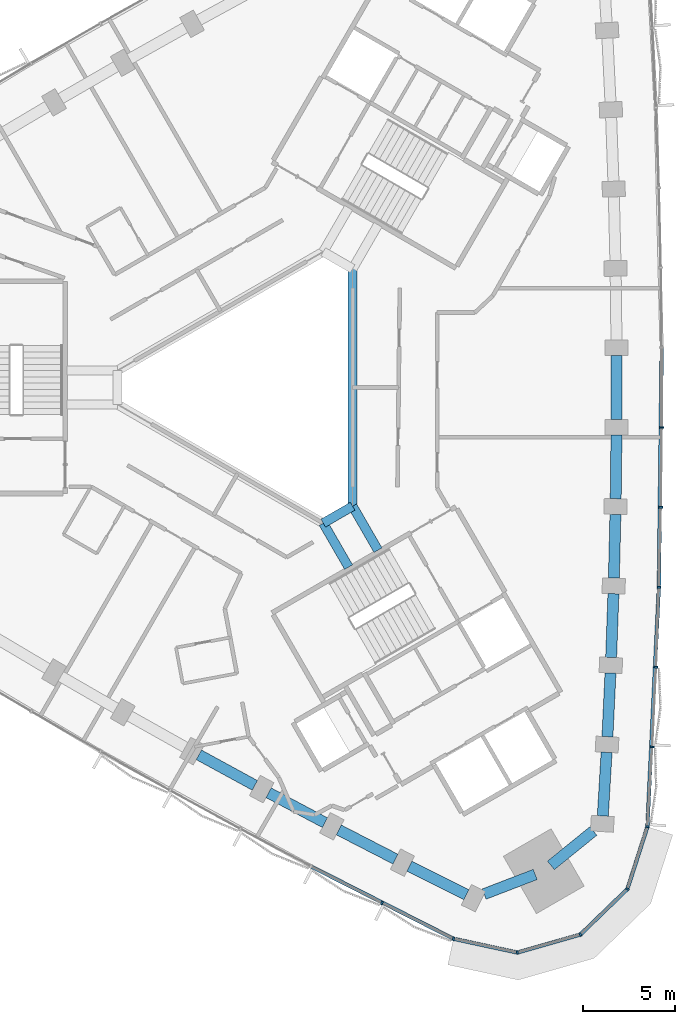
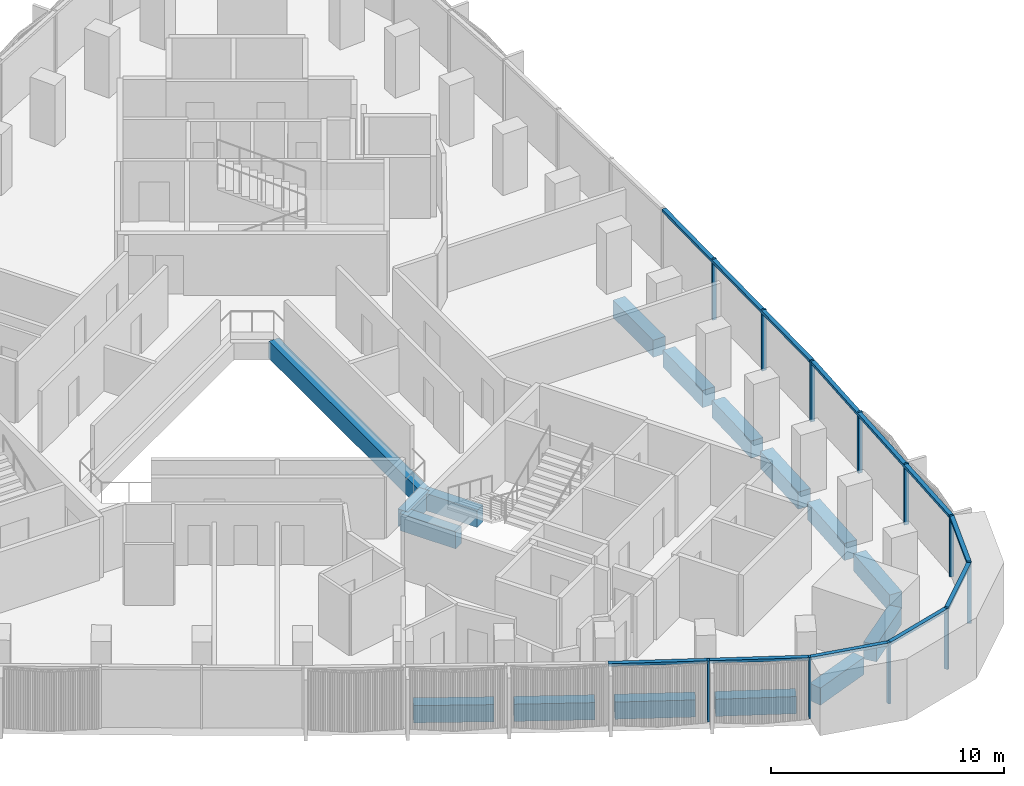
# One storey, part 3 of 14: 18 members, 16 beams, 2 elements without a shape of their own.
"""IFC4 building model written with IfcOpenShell, lengths in metres."""

import ifcopenshell
import ifcopenshell.guid

model = None  # the IFC model being written
_history = None  # IfcOwnerHistory: only IFC2X3 demands one
_inside = {}  # id of a spatial element -> (the spatial element, [elements in it])
_under = {}  # id of a project, library or spatial element -> (it, [spatial elements below it])
_declared = {}  # id of a project -> (the project, [libraries it declares])
_typed = {}  # id of a type object -> (the type object, [elements of that type])
_made_of = {}  # id of a material, layer set ... -> (it, [elements and type objects made of it])


def new_model(schema):
    """Start an empty IFC model of exactly this schema.

    Asked for "IFC4X3", IfcOpenShell would pick the latest addendum, in which some entities
    have other attributes; the version numbers below select the first issue.
    IFC2X3 requires an IfcOwnerHistory on every rooted entity: one is made here for all.
    """
    global model, _history
    if schema == "IFC4X3":
        model = ifcopenshell.file(schema_version=(4, 3, 0, 0))
    else:
        model = ifcopenshell.file(schema=schema)
    _inside.clear()
    _under.clear()
    _declared.clear()
    _typed.clear()
    _made_of.clear()
    _history = None
    if model.schema == "IFC2X3":
        org = make("IfcOrganization", Name="unknown")
        user = make(
            "IfcPersonAndOrganization",
            ThePerson=make("IfcPerson", FamilyName="unknown"),
            TheOrganization=org,
        )
        app = make(
            "IfcApplication",
            ApplicationDeveloper=org,
            Version="unknown",
            ApplicationFullName="unknown",
            ApplicationIdentifier="unknown",
        )
        _history = make(
            "IfcOwnerHistory",
            OwningUser=user,
            OwningApplication=app,
            ChangeAction="ADDED",
            CreationDate=0,
        )
    return model


def make(cls, **values):
    """One entity of the class cls with the attributes given. An attribute that is None is left unset."""
    return model.create_entity(
        cls, **{name: value for name, value in values.items() if value is not None}
    )


def rooted(cls, **values):
    """An entity with a GlobalId (a new one), such as an element, a storey or a relation."""
    return make(cls, GlobalId=ifcopenshell.guid.new(), OwnerHistory=_history, **values)


def si_unit(unit_type, name, prefix=None):
    """IfcSIUnit, for example si_unit("LENGTHUNIT", "METRE", prefix="MILLI")."""
    return make("IfcSIUnit", UnitType=unit_type, Prefix=prefix, Name=name)


def assignment(units):
    """IfcUnitAssignment: the units of a project."""
    return None if units is None else make("IfcUnitAssignment", Units=units)


def point(xyz):
    """IfcCartesianPoint."""
    return None if xyz is None else make("IfcCartesianPoint", Coordinates=xyz)


def direction(xyz):
    """IfcDirection."""
    return None if xyz is None else make("IfcDirection", DirectionRatios=xyz)


def frame(location, z_axis=None, x_axis=None):
    """IfcAxis2Placement3D, a coordinate frame: its origin and axes. An axis left out is left unset."""
    return make(
        "IfcAxis2Placement3D",
        Location=point(location),
        Axis=direction(z_axis),
        RefDirection=direction(x_axis),
    )


def frame_2d(location, x_axis=None):
    """IfcAxis2Placement2D, a coordinate frame in the plane: its origin and x axis."""
    return make(
        "IfcAxis2Placement2D", Location=point(location), RefDirection=direction(x_axis)
    )


def origin():
    """The frame at (0, 0, 0) with its axes left unset."""
    return frame((0.0, 0.0, 0.0))


def origin_2d():
    """The frame at (0, 0) in the plane with its x axis left unset."""
    return frame_2d((0.0, 0.0))


def place(relative_to, where):
    """IfcLocalPlacement: puts the frame where relative to a parent placement (None: the world)."""
    return make(
        "IfcLocalPlacement", PlacementRelTo=relative_to, RelativePlacement=where
    )


def context(
    kind, dimensions, precision=None, world=None, true_north=None, identifier=None
):
    """IfcGeometricRepresentationContext, for example the 3D "Model" context."""
    return make(
        "IfcGeometricRepresentationContext",
        ContextIdentifier=identifier,
        ContextType=kind,
        CoordinateSpaceDimension=dimensions,
        Precision=precision,
        WorldCoordinateSystem=world,
        TrueNorth=true_north,
    )


def subcontext(parent, identifier, kind, view, scale=None):
    """IfcGeometricRepresentationSubContext, for example "Body" below "Model"."""
    return make(
        "IfcGeometricRepresentationSubContext",
        ContextIdentifier=identifier,
        ContextType=kind,
        ParentContext=parent,
        TargetScale=scale,
        TargetView=view,
    )


def project(units=None, contexts=None):
    """IfcProject with its units and contexts."""
    return rooted(
        "IfcProject",
        Name="project",
        RepresentationContexts=contexts,
        UnitsInContext=assignment(units),
    )


def spatial(cls, under=None, at=None, **own):
    """A site, building, storey or space (cls), placed at a placement, below another one or the project."""
    s = rooted(cls, ObjectPlacement=at, **own)
    if under is not None:
        _under.setdefault(under.id(), (under, []))[1].append(s)
    return s


def profile(cls, at=None, kind="AREA", **sizes):
    """A parametric profile (cls). Its sizes go by their IFC names, for example OverallWidth=200.0."""
    return make(cls, ProfileType=kind, Position=at, **sizes)


def rectangle(**sizes):
    """IfcRectangleProfileDef."""
    return profile("IfcRectangleProfileDef", **sizes)


def extrude(swept, where, along, depth):
    """IfcExtrudedAreaSolid: the profile swept, set in the frame where, extruded along a direction by depth."""
    return make(
        "IfcExtrudedAreaSolid",
        SweptArea=swept,
        Position=where,
        ExtrudedDirection=direction(along),
        Depth=depth,
    )


def shape(context_of_items, identifier, shape_type, items):
    """IfcShapeRepresentation: the items that make up one representation, for example the "Body"."""
    return make(
        "IfcShapeRepresentation",
        ContextOfItems=context_of_items,
        RepresentationIdentifier=identifier,
        RepresentationType=shape_type,
        Items=items,
    )


def material(Name=None, Category=None):
    """IfcMaterial."""
    return make("IfcMaterial", Name=Name, Category=Category)


def material_profile(
    of_material, cross_section, Name=None, Category=None, Priority=None
):
    """IfcMaterialProfile: a cross section and its material."""
    return make(
        "IfcMaterialProfile",
        Name=Name,
        Material=of_material,
        Profile=cross_section,
        Priority=Priority,
        Category=Category,
    )


def profile_set(profiles, Name=None, composite=None):
    """IfcMaterialProfileSet."""
    return make(
        "IfcMaterialProfileSet",
        Name=Name,
        MaterialProfiles=profiles,
        CompositeProfile=composite,
    )


def made_of(thing, what):
    """Note that an element or type object is made of a material, layer set ...; save() writes the relation."""
    if what is not None:
        _made_of.setdefault(what.id(), (what, []))[1].append(thing)
    return thing


def type_object(cls, material=None, **own):
    """A type object (cls), such as IfcWallType, which elements share."""
    return made_of(rooted(cls, **own), material)


def element(
    cls,
    number,
    at=None,
    inside=None,
    cuts=None,
    type_object=None,
    material=None,
    context=None,
    identifier="Body",
    shape_type=None,
    held_by="IfcProductDefinitionShape",
    body=None,
    shapes=None,
    **own,
):
    """One element of the class cls, such as IfcWall. Its Tag is "e" and its number.

    at: its placement. inside: the storey or other place that contains it. cuts: it is an
    opening in that element (IfcRelVoidsElement). A single representation is given by context,
    identifier, shape_type and body (its items); several are given by shapes. held_by: the class
    of the entity that holds the representations. save() writes the other relations.
    """
    e = rooted(cls, Tag="e%d" % number, ObjectPlacement=at, **own)
    if body is not None:
        shapes = [shape(context, identifier, shape_type, body)]
    if shapes is not None:
        e.Representation = make(held_by, Representations=shapes)
    if inside is not None:
        _inside.setdefault(inside.id(), (inside, []))[1].append(e)
    if cuts is not None:
        rooted(
            "IfcRelVoidsElement", RelatingBuildingElement=cuts, RelatedOpeningElement=e
        )
    if type_object is not None:
        _typed.setdefault(type_object.id(), (type_object, []))[1].append(e)
    return made_of(e, material)


def aggregate(whole, parts):
    """IfcRelAggregates: a whole, such as a stair, and the parts it consists of."""
    return rooted("IfcRelAggregates", RelatingObject=whole, RelatedObjects=parts)


def save(model, path):
    """Write the relations noted so far, then the file.

    IfcRelAggregates (storeys below a building ...), IfcRelContainedInSpatialStructure (elements
    in a storey), IfcRelDefinesByType, IfcRelAssociatesMaterial and IfcRelDeclares: one each for
    every whole, place, type object, material and project.
    """
    for whole, parts in _under.values():
        aggregate(whole, parts)
    for where, things in _inside.values():
        rooted(
            "IfcRelContainedInSpatialStructure",
            RelatedElements=things,
            RelatingStructure=where,
        )
    for kind, things in _typed.values():
        rooted("IfcRelDefinesByType", RelatedObjects=things, RelatingType=kind)
    for what, things in _made_of.values():
        rooted("IfcRelAssociatesMaterial", RelatedObjects=things, RelatingMaterial=what)
    for by, libraries in _declared.values():
        rooted("IfcRelDeclares", RelatingContext=by, RelatedDefinitions=libraries)
    model.write(path)


model = new_model("IFC4")

# Units and contexts
model_context = context("Model", 3, precision=1e-05, world=origin(), true_north=direction((0.0, 1.0)))
body_context = subcontext(model_context, "Body", "Model", "MODEL_VIEW")
ifc_project = project(units=[si_unit("LENGTHUNIT", "METRE"), si_unit("AREAUNIT", "SQUARE_METRE"), si_unit("VOLUMEUNIT", "CUBIC_METRE"), si_unit("PLANEANGLEUNIT", "RADIAN"), si_unit("MASSUNIT", "GRAM", prefix="KILO")], contexts=[model_context])

# Site, building, storey
site_placement = place(None, origin())
site = spatial("IfcSite", under=ifc_project, at=site_placement, CompositionType="ELEMENT")
building_placement = place(site_placement, origin())
building = spatial("IfcBuilding", under=site, at=building_placement, Name="Tamra Quay Hotel Tower", CompositionType="ELEMENT")
storey_placement = place(building_placement, frame((0.0, 0.0, 146.800048828125)))
storey = spatial("IfcBuildingStorey", under=building, at=storey_placement, Name="L36", CompositionType="ELEMENT", Elevation=146.800048828125)

# Beams
ifc_material_1 = material(Name="Concrete M60", Category="concrete")
ifc_material_profile_1 = material_profile(ifc_material_1, rectangle(XDim=0.5, YDim=0.89990234375, at=origin_2d()), Name="ATRIUM EDGE BEAM RC 500x900")
ifc_profile_set_1 = profile_set([ifc_material_profile_1], Name="Concrete M60")
beam_type_1 = type_object("IfcBeamType", Name="ATRIUM EDGE BEAM RC 500x900", PredefinedType="BEAM", material=ifc_profile_set_1)
beam_1_placement = place(storey_placement, frame((4.800048828125, 6.46630859375, -0.85009765625), z_axis=(0.0, -1.0, 0.0), x_axis=(1.0, 0.0, 0.0)))
element("IfcBeam", 1, at=beam_1_placement, inside=storey, type_object=beam_type_1, Name="BM-AB0-L36", PredefinedType="BEAM", context=body_context, shape_type="SweptSolid", body=[
    extrude(rectangle(XDim=0.5, YDim=0.89990234375, at=origin_2d()), origin(), (0.0, 0.0, 1.0), 12.9326171875),
])
beam_2_placement = place(storey_placement, frame((4.800048828125, -6.46630859375, -0.85009765625), z_axis=(-0.86602275259, -0.500004591975, 0.0), x_axis=(0.500004591975, -0.86602275259, 0.0)))
element("IfcBeam", 2, at=beam_2_placement, inside=storey, type_object=beam_type_1, Name="BM-AB1-L36", PredefinedType="BEAM", context=body_context, shape_type="SweptSolid", body=[
    extrude(rectangle(XDim=0.5, YDim=0.89990234375, at=origin_2d()), origin(), (0.0, 0.0, 1.0), 1.84765625),
])
ifc_material_profile_2 = material_profile(ifc_material_1, rectangle(XDim=0.5, YDim=0.89990234375, at=origin_2d()), Name="ATRIUM TIE BEAM RC 500x900")
ifc_profile_set_2 = profile_set([ifc_material_profile_2], Name="Concrete M60")
beam_type_2 = type_object("IfcBeamType", Name="ATRIUM TIE BEAM RC 500x900", PredefinedType="BEAM", material=ifc_profile_set_2)
for number, where, z_axis, x_axis, name in (
    (3, (4.800048828125, -6.46630859375, -0.85009765625), (0.500008091576, -0.86602073206, 0.0), (0.86602073206, 0.500008091576, 0.0), "BM-TIE-1-L36"),
    (4, (3.199951171875, -7.39013671875, -0.85009765625), (0.500008091576, -0.86602073206, 0.0), (0.86602073206, 0.500008091576, 0.0), "BM-TIE-2-L36"),
):
    element("IfcBeam", number, at=place(storey_placement, frame(where, z_axis=z_axis, x_axis=x_axis)), inside=storey, type_object=beam_type_2, Name=name, PredefinedType="BEAM", context=body_context, shape_type="SweptSolid", body=[
        extrude(rectangle(XDim=0.5, YDim=0.89990234375, at=origin_2d()), origin(), (0.0, 0.0, 1.0), 2.76220703125),
    ])

# Curtain wall, members
ifc_material_2 = material(Name="Aluminium 6063 anodised dark grey", Category="aluminium")
curtain_wall_type_1 = type_object("IfcCurtainWallType", Name="CW1 CURTAIN WALL", PredefinedType="NOTDEFINED", material=ifc_material_2)
curtain_wall_1_placement = place(storey_placement, origin())
curtain_wall_1 = element("IfcCurtainWall", 5, at=curtain_wall_1_placement, inside=storey, type_object=curtain_wall_type_1, Name="CW1 east face L36", PredefinedType="NOTDEFINED")
ifc_material_profile_3 = material_profile(ifc_material_2, rectangle(XDim=0.199951171875, YDim=0.10009765625, at=origin_2d()), Name="MULLION 100X200")
ifc_profile_set_3 = profile_set([ifc_material_profile_3], Name="Aluminium 6063 anodised dark grey")
member_type_1 = type_object("IfcMemberType", Name="MULLION CW1 Z3", PredefinedType="MULLION", material=ifc_profile_set_3)
member_1_placement = place(storey_placement, frame((20.852294921875, -23.918212890625, 0.0), z_axis=(0.0, 0.0, 1.0), x_axis=(0.982883217826, -0.184229693905, 0.0)))
member_1 = element("IfcMember", 6, at=member_1_placement, type_object=member_type_1, Name="CW1 mullion L36.E.1", PredefinedType="MULLION", context=body_context, shape_type="SweptSolid", body=[
    extrude(rectangle(XDim=0.199951171875, YDim=0.10009765625, at=origin_2d()), origin(), (0.0, 0.0, 1.0), 3.199951171875),
])
member_2_placement = place(storey_placement, frame((21.11181640625, -19.57421875, 0.0), z_axis=(0.0, 0.0, 1.0), x_axis=(0.99855735675, -0.053695486602, 0.0)))
member_2 = element("IfcMember", 7, at=member_2_placement, type_object=member_type_1, Name="CW1 mullion L36.E.2", PredefinedType="MULLION", context=body_context, shape_type="SweptSolid", body=[
    extrude(rectangle(XDim=0.199951171875, YDim=0.10009765625, at=origin_2d()), origin(), (0.0, 0.0, 1.0), 3.199951171875),
])
member_3_placement = place(storey_placement, frame((21.319580078125, -15.228271484375, 0.0), z_axis=(0.0, 0.0, 1.0), x_axis=(0.99912611643, -0.041797170557, 0.0)))
member_3 = element("IfcMember", 8, at=member_3_placement, type_object=member_type_1, Name="CW1 mullion L36.E.3", PredefinedType="MULLION", context=body_context, shape_type="SweptSolid", body=[
    extrude(rectangle(XDim=0.199951171875, YDim=0.10009765625, at=origin_2d()), origin(), (0.0, 0.0, 1.0), 3.199951171875),
])
member_4_placement = place(storey_placement, frame((21.4755859375, -10.87841796875, 0.0), z_axis=(0.0, 0.0, 1.0), x_axis=(0.999553757047, -0.029871169599, 0.0)))
member_4 = element("IfcMember", 9, at=member_4_placement, type_object=member_type_1, Name="CW1 mullion L36.E.4", PredefinedType="MULLION", context=body_context, shape_type="SweptSolid", body=[
    extrude(rectangle(XDim=0.199951171875, YDim=0.10009765625, at=origin_2d()), origin(), (0.0, 0.0, 1.0), 3.199951171875),
])
member_5_placement = place(storey_placement, frame((21.57958984375, -6.527099609375, 0.0), z_axis=(0.0, 0.0, 1.0), x_axis=(0.999839304234, -0.017926675875, 0.0)))
member_5 = element("IfcMember", 10, at=member_5_placement, type_object=member_type_1, Name="CW1 mullion L36.E.5", PredefinedType="MULLION", context=body_context, shape_type="SweptSolid", body=[
    extrude(rectangle(XDim=0.199951171875, YDim=0.10009765625, at=origin_2d()), origin(), (0.0, 0.0, 1.0), 3.199951171875),
])
member_6_placement = place(storey_placement, frame((21.631591796875, -2.17626953125, 0.0), z_axis=(0.0, 0.0, 1.0), x_axis=(0.999982128389, -0.005978536749, 0.0)))
member_6 = element("IfcMember", 11, at=member_6_placement, type_object=member_type_1, Name="CW1 mullion L36.E.6", PredefinedType="MULLION", context=body_context, shape_type="SweptSolid", body=[
    extrude(rectangle(XDim=0.199951171875, YDim=0.10009765625, at=origin_2d()), origin(), (0.0, 0.0, 1.0), 3.199951171875),
])

curtain_wall_type_2 = type_object("IfcCurtainWallType", Name="CW3 CURTAIN WALL", PredefinedType="NOTDEFINED", material=ifc_material_2)
curtain_wall_2_placement = place(storey_placement, origin())
curtain_wall_2 = element("IfcCurtainWall", 12, at=curtain_wall_2_placement, inside=storey, type_object=curtain_wall_type_2, Name="CW3 south-west face L36", PredefinedType="NOTDEFINED")
ifc_material_profile_4 = material_profile(ifc_material_2, rectangle(XDim=0.199951171875, YDim=0.10009765625, at=origin_2d()), Name="MULLION 100X200")
ifc_profile_set_4 = profile_set([ifc_material_profile_4], Name="Aluminium 6063 anodised dark grey")
member_type_2 = type_object("IfcMemberType", Name="MULLION CW3 Z3", PredefinedType="MULLION", material=ifc_profile_set_4)
member_7_placement = place(storey_placement, frame((6.39599609375, -28.0703125, 0.0), z_axis=(0.0, 0.0, 1.0), x_axis=(-0.452777022909, -0.891623781382, 0.0)))
member_7 = element("IfcMember", 13, at=member_7_placement, type_object=member_type_2, Name="CW3 mullion L36.SW.11", PredefinedType="MULLION", context=body_context, shape_type="SweptSolid", body=[
    extrude(rectangle(XDim=0.199951171875, YDim=0.10009765625, at=origin_2d()), origin(), (0.0, 0.0, 1.0), 3.199951171875),
])
member_8_placement = place(storey_placement, frame((10.28759765625, -30.017578125, 0.0), z_axis=(0.0, 0.0, 1.0), x_axis=(-0.33189401386, -0.943316682543, 0.0)))
member_8 = element("IfcMember", 14, at=member_8_placement, type_object=member_type_2, Name="CW3 mullion L36.SW.12", PredefinedType="MULLION", context=body_context, shape_type="SweptSolid", body=[
    extrude(rectangle(XDim=0.199951171875, YDim=0.10009765625, at=origin_2d()), origin(), (0.0, 0.0, 1.0), 3.199951171875),
])
member_9_placement = place(storey_placement, frame((13.772216796875, -30.770263671875, 0.0), z_axis=(0.0, 0.0, 1.0), x_axis=(0.032727311619, -0.99946431806, 0.0)))
member_9 = element("IfcMember", 15, at=member_9_placement, type_object=member_type_2, Name="CW3 mullion L36.SW.13", PredefinedType="MULLION", context=body_context, shape_type="SweptSolid", body=[
    extrude(rectangle(XDim=0.199951171875, YDim=0.10009765625, at=origin_2d()), origin(), (0.0, 0.0, 1.0), 3.199951171875),
])
member_10_placement = place(storey_placement, frame((17.199951171875, -29.791259765625, 0.0), z_axis=(0.0, 0.0, 1.0), x_axis=(0.5, -0.866025403784, 0.0)))
member_10 = element("IfcMember", 16, at=member_10_placement, type_object=member_type_2, Name="CW3 mullion L36.SW.14", PredefinedType="MULLION", context=body_context, shape_type="SweptSolid", body=[
    extrude(rectangle(XDim=0.199951171875, YDim=0.10009765625, at=origin_2d()), origin(), (0.0, 0.0, 1.0), 3.199951171875),
])
member_11_placement = place(storey_placement, frame((19.76171875, -27.312255859375, 0.0), z_axis=(0.0, 0.0, 1.0), x_axis=(0.849197833806, -0.52807484229, 0.0)))
member_11 = element("IfcMember", 17, at=member_11_placement, type_object=member_type_2, Name="CW3 mullion L36.SW.15", PredefinedType="MULLION", context=body_context, shape_type="SweptSolid", body=[
    extrude(rectangle(XDim=0.199951171875, YDim=0.10009765625, at=origin_2d()), origin(), (0.0, 0.0, 1.0), 3.199951171875),
])

# Beams
ifc_material_profile_5 = material_profile(ifc_material_1, rectangle(XDim=0.60009765625, YDim=0.89990234375, at=origin_2d()), Name="SPANDREL BEAM RC 600x900")
ifc_profile_set_5 = profile_set([ifc_material_profile_5], Name="Concrete M60")
beam_type_3 = type_object("IfcBeamType", Name="SPANDREL BEAM RC 600x900", PredefinedType="SPANDREL", material=ifc_profile_set_5)
beam_3_placement = place(storey_placement, frame((18.422119140625, -23.3330078125, -0.85009765625), z_axis=(0.059620475238, 0.998221117254, 0.0), x_axis=(-0.998221117254, 0.059620475238, 0.0)))
element("IfcBeam", 18, at=beam_3_placement, inside=storey, type_object=beam_type_3, Name="BM-SP3-000-L36", PredefinedType="SPANDREL", context=body_context, shape_type="SweptSolid", body=[
    extrude(rectangle(XDim=0.60009765625, YDim=0.89990234375, at=origin_2d()), origin(), (0.0, 0.0, 1.0), 3.472412109375),
])
beam_4_placement = place(storey_placement, frame((18.6748046875, -19.017822265625, -0.85009765625), z_axis=(0.047732145575, 0.998860171535, 0.0), x_axis=(-0.998860171535, 0.047732145575, 0.0)))
element("IfcBeam", 19, at=beam_4_placement, inside=storey, type_object=beam_type_3, Name="BM-SP3-001-L36", PredefinedType="SPANDREL", context=body_context, shape_type="SweptSolid", body=[
    extrude(rectangle(XDim=0.60009765625, YDim=0.89990234375, at=origin_2d()), origin(), (0.0, 0.0, 1.0), 3.472900390625),
])
beam_5_placement = place(storey_placement, frame((18.876220703125, -14.69970703125, -0.85009765625), z_axis=(0.035786826945, 0.999359446354, 0.0), x_axis=(-0.999359446354, 0.035786826945, 0.0)))
element("IfcBeam", 20, at=beam_5_placement, inside=storey, type_object=beam_type_3, Name="BM-SP3-002-L36", PredefinedType="SPANDREL", context=body_context, shape_type="SweptSolid", body=[
    extrude(rectangle(XDim=0.60009765625, YDim=0.89990234375, at=origin_2d()), origin(), (0.0, 0.0, 1.0), 3.472412109375),
])
beam_6_placement = place(storey_placement, frame((19.02587890625, -10.3798828125, -0.85009765625), z_axis=(0.023906514803, 0.999714198434, 0.0), x_axis=(-0.999714198434, 0.023906514803, 0.0)))
element("IfcBeam", 21, at=beam_6_placement, inside=storey, type_object=beam_type_3, Name="BM-SP3-003-L36", PredefinedType="SPANDREL", context=body_context, shape_type="SweptSolid", body=[
    extrude(rectangle(XDim=0.60009765625, YDim=0.89990234375, at=origin_2d()), origin(), (0.0, 0.0, 1.0), 3.47216796875),
])
beam_7_placement = place(storey_placement, frame((19.124267578125, -6.05859375, -0.85009765625), z_axis=(0.011951617666, 0.999928576867, 0.0), x_axis=(-0.999928576867, 0.011951617666, 0.0)))
element("IfcBeam", 22, at=beam_7_placement, inside=storey, type_object=beam_type_3, Name="BM-SP3-004-L36", PredefinedType="SPANDREL", context=body_context, shape_type="SweptSolid", body=[
    extrude(rectangle(XDim=0.60009765625, YDim=0.89990234375, at=origin_2d()), origin(), (0.0, 0.0, 1.0), 3.47265625),
])
beam_8_placement = place(storey_placement, frame((19.1708984375, -1.736083984375, -0.85009765625), z_axis=(0.0, 1.0, 0.0), x_axis=(-1.0, 0.0, 0.0)))
element("IfcBeam", 23, at=beam_8_placement, inside=storey, type_object=beam_type_3, Name="BM-SP3-005-L36", PredefinedType="SPANDREL", context=body_context, shape_type="SweptSolid", body=[
    extrude(rectangle(XDim=0.60009765625, YDim=0.89990234375, at=origin_2d()), origin(), (0.0, 0.0, 1.0), 3.47216796875),
])
for number, where, z_axis, x_axis, name in (
    (24, (-3.571533203125, -20.003173828125, -0.85009765625), (0.877731617539, -0.479152593202, 0.0), (0.479152593202, 0.877731617539, 0.0), "BM-SP3-033-L36"),
    (25, (0.224609375, -22.06982421875, -0.85009765625), (0.883411391477, -0.468598243071, 0.0), (0.468598243071, 0.883411391477, 0.0), "BM-SP3-034-L36"),
):
    element("IfcBeam", number, at=place(storey_placement, frame(where, z_axis=z_axis, x_axis=x_axis)), inside=storey, type_object=beam_type_3, Name=name, PredefinedType="SPANDREL", context=body_context, shape_type="SweptSolid", body=[
        extrude(rectangle(XDim=0.60009765625, YDim=0.89990234375, at=origin_2d()), origin(), (0.0, 0.0, 1.0), 3.472412109375),
    ])
beam_9_placement = place(storey_placement, frame((4.04541015625, -24.0908203125, -0.85009765625), z_axis=(0.888919913451, -0.458062645792, 0.0), x_axis=(0.458062645792, 0.888919913451, 0.0)))
element("IfcBeam", 26, at=beam_9_placement, inside=storey, type_object=beam_type_3, Name="BM-SP3-035-L36", PredefinedType="SPANDREL", context=body_context, shape_type="SweptSolid", body=[
    extrude(rectangle(XDim=0.60009765625, YDim=0.89990234375, at=origin_2d()), origin(), (0.0, 0.0, 1.0), 3.472900390625),
])
beam_10_placement = place(storey_placement, frame((7.890380859375, -26.066650390625, -0.85009765625), z_axis=(0.894314670292, -0.447438566174, 0.0), x_axis=(0.447438566174, 0.894314670292, 0.0)))
element("IfcBeam", 27, at=beam_10_placement, inside=storey, type_object=beam_type_3, Name="BM-SP3-036-L36", PredefinedType="SPANDREL", context=body_context, shape_type="SweptSolid", body=[
    extrude(rectangle(XDim=0.60009765625, YDim=0.89990234375, at=origin_2d()), origin(), (0.0, 0.0, 1.0), 3.472412109375),
])
beam_11_placement = place(storey_placement, frame((11.960693359375, -27.586181640625, -0.85009765625), z_axis=(0.933527198951, 0.358506581278, 0.0), x_axis=(-0.358506581278, 0.933527198951, 0.0)))
element("IfcBeam", 28, at=beam_11_placement, inside=storey, type_object=beam_type_3, Name="BM-SP3-037-L36", PredefinedType="SPANDREL", context=body_context, shape_type="SweptSolid", body=[
    extrude(rectangle(XDim=0.60009765625, YDim=0.89990234375, at=origin_2d()), origin(), (0.0, 0.0, 1.0), 2.97802734375),
])
beam_12_placement = place(storey_placement, frame((15.595703125, -26.02490234375, -0.85009765625), z_axis=(0.777183767602, 0.629273701482, 0.0), x_axis=(-0.629273701482, 0.777183767602, 0.0)))
element("IfcBeam", 29, at=beam_12_placement, inside=storey, type_object=beam_type_3, Name="BM-SP3-038-L36", PredefinedType="SPANDREL", context=body_context, shape_type="SweptSolid", body=[
    extrude(rectangle(XDim=0.60009765625, YDim=0.89990234375, at=origin_2d()), origin(), (0.0, 0.0, 1.0), 2.977783203125),
])

# Member
ifc_material_profile_6 = material_profile(ifc_material_2, rectangle(XDim=0.199951171875, YDim=0.139892578125, at=origin_2d()), Name="TRANSOM 200X140")
ifc_profile_set_6 = profile_set([ifc_material_profile_6], Name="Aluminium 6063 anodised dark grey")
member_type_3 = type_object("IfcMemberType", Name="TRANSOM CW1 Z3", PredefinedType="USERDEFINED", material=ifc_profile_set_6)
member_12_placement = place(storey_placement, frame((20.855224609375, -23.868408203125, 3.1298828125), z_axis=(0.047736167082, 0.998859979353, 0.0), x_axis=(-0.998859979353, 0.047736167082, 0.0)))
member_12 = element("IfcMember", 30, at=member_12_placement, type_object=member_type_3, Name="CW1 transom L36.E.1", ObjectType="TRANSOM", PredefinedType="USERDEFINED", context=body_context, shape_type="SweptSolid", body=[
    extrude(rectangle(XDim=0.199951171875, YDim=0.139892578125, at=origin_2d()), origin(), (0.0, 0.0, 1.0), 12.95458984375),
])

member_13_placement = place(storey_placement, frame((21.476806640625, -10.828369140625, 3.1298828125), z_axis=(0.011947434123, 0.999928626862, 0.0), x_axis=(-0.999928626862, 0.011947434123, 0.0)))
member_13 = element("IfcMember", 31, at=member_13_placement, type_object=member_type_3, Name="CW1 transom L36.E.4", ObjectType="TRANSOM", PredefinedType="USERDEFINED", context=body_context, shape_type="SweptSolid", body=[
    extrude(rectangle(XDim=0.199951171875, YDim=0.139892578125, at=origin_2d()), origin(), (0.0, 0.0, 1.0), 12.95556640625),
])

aggregate(curtain_wall_1, [member_1, member_12, member_2, member_3, member_4, member_13, member_5, member_6])

ifc_material_profile_7 = material_profile(ifc_material_2, rectangle(XDim=0.199951171875, YDim=0.139892578125, at=origin_2d()), Name="TRANSOM 200X140")
ifc_profile_set_7 = profile_set([ifc_material_profile_7], Name="Aluminium 6063 anodised dark grey")
member_type_4 = type_object("IfcMemberType", Name="TRANSOM CW3 Z3", PredefinedType="USERDEFINED", material=ifc_profile_set_7)
member_14_placement = place(storey_placement, frame((2.57275390625, -26.10009765625, 3.1298828125), z_axis=(0.891611423386, -0.452801357868, 0.0), x_axis=(0.452801357868, 0.891611423386, 0.0)))
member_14 = element("IfcMember", 32, at=member_14_placement, type_object=member_type_4, Name="CW3 transom L36.SW.10", ObjectType="TRANSOM", PredefinedType="USERDEFINED", context=body_context, shape_type="SweptSolid", body=[
    extrude(rectangle(XDim=0.199951171875, YDim=0.139892578125, at=origin_2d()), origin(), (0.0, 0.0, 1.0), 8.6025390625),
])

member_15_placement = place(storey_placement, frame((10.33642578125, -30.028076171875, 3.1298828125), z_axis=(0.977466057655, -0.211092648218, 0.0), x_axis=(0.211092648218, 0.977466057655, 0.0)))
member_15 = element("IfcMember", 33, at=member_15_placement, type_object=member_type_4, Name="CW3 transom L36.SW.12", ObjectType="TRANSOM", PredefinedType="USERDEFINED", context=body_context, shape_type="SweptSolid", body=[
    extrude(rectangle(XDim=0.199951171875, YDim=0.139892578125, at=origin_2d()), origin(), (0.0, 0.0, 1.0), 3.465087890625),
])

member_16_placement = place(storey_placement, frame((13.8203125, -30.75634765625, 3.1298828125), z_axis=(0.961558507518, 0.274600139513, 0.0), x_axis=(-0.274600139513, 0.961558507518, 0.0)))
member_16 = element("IfcMember", 34, at=member_16_placement, type_object=member_type_4, Name="CW3 transom L36.SW.13", ObjectType="TRANSOM", PredefinedType="USERDEFINED", context=body_context, shape_type="SweptSolid", body=[
    extrude(rectangle(XDim=0.199951171875, YDim=0.139892578125, at=origin_2d()), origin(), (0.0, 0.0, 1.0), 3.46484375),
])

member_17_placement = place(storey_placement, frame((17.23583984375, -29.756591796875, 3.1298828125), z_axis=(0.718602141767, 0.695421427516, 0.0), x_axis=(-0.695421427516, 0.718602141767, 0.0)))
member_17 = element("IfcMember", 35, at=member_17_placement, type_object=member_type_4, Name="CW3 transom L36.SW.14", ObjectType="TRANSOM", PredefinedType="USERDEFINED", context=body_context, shape_type="SweptSolid", body=[
    extrude(rectangle(XDim=0.199951171875, YDim=0.139892578125, at=origin_2d()), origin(), (0.0, 0.0, 1.0), 3.465087890625),
])

member_18_placement = place(storey_placement, frame((19.77685546875, -27.2646484375, 3.1298828125), z_axis=(0.305936194626, 0.952052017916, 0.0), x_axis=(-0.952052017916, 0.305936194626, 0.0)))
member_18 = element("IfcMember", 36, at=member_18_placement, type_object=member_type_4, Name="CW3 transom L36.SW.15", ObjectType="TRANSOM", PredefinedType="USERDEFINED", context=body_context, shape_type="SweptSolid", body=[
    extrude(rectangle(XDim=0.199951171875, YDim=0.139892578125, at=origin_2d()), origin(), (0.0, 0.0, 1.0), 3.465087890625),
])

aggregate(curtain_wall_2, [member_14, member_7, member_8, member_15, member_9, member_16, member_10, member_17, member_11, member_18])

save(model, "model.ifc")
